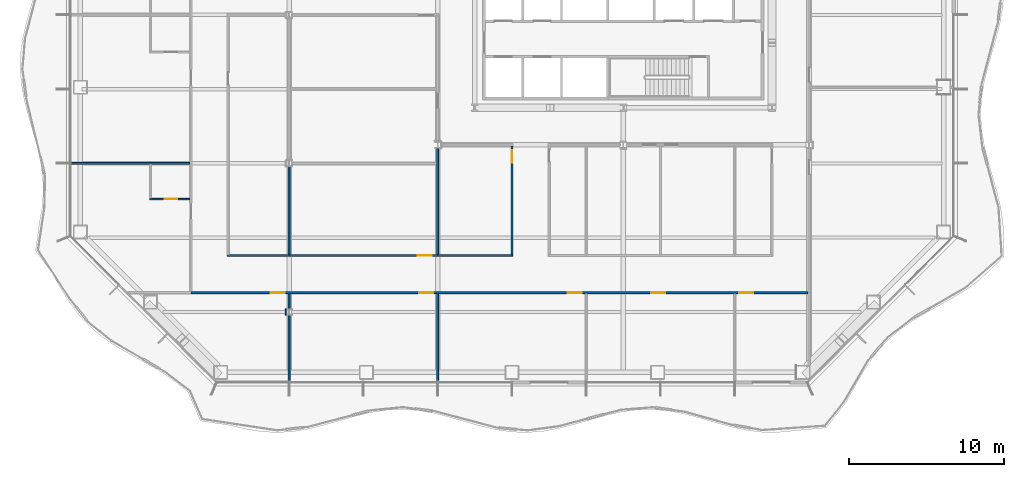
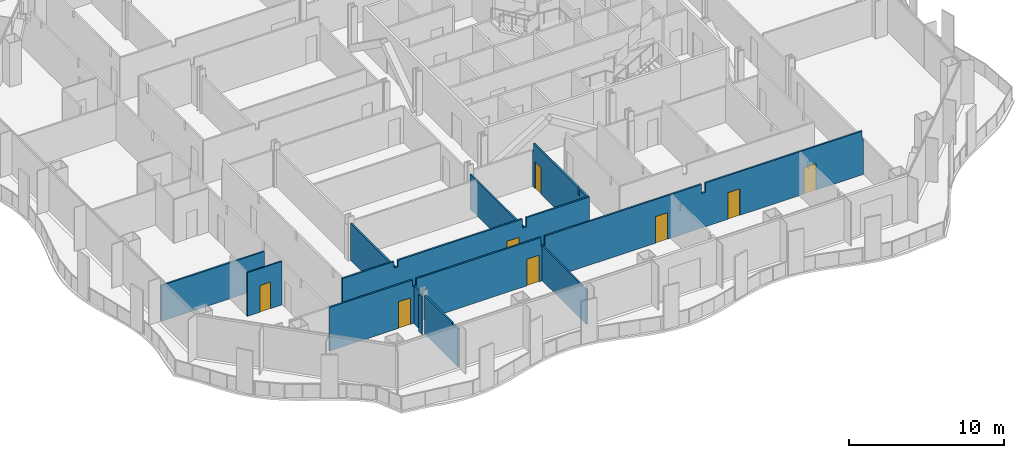
# One storey, part 6 of 18: 11 walls, 8 doors, 8 openings.
"""IFC4 building model written with IfcOpenShell, lengths in metres."""

from ifc_helpers import new_model, si_unit, direction, frame, frame_2d, origin, place, context, subcontext, project, spatial, polyline, rectangle, outline, extrude, material, layer, layer_set, type_object, element, fill, save


model = new_model("IFC4")

# Units and contexts
model_context = context("Model", 3, precision=1e-05, world=origin(), true_north=direction((0.0, 1.0)))
body_context = subcontext(model_context, "Body", "Model", "MODEL_VIEW")
ifc_project = project(units=[si_unit("LENGTHUNIT", "METRE"), si_unit("AREAUNIT", "SQUARE_METRE"), si_unit("VOLUMEUNIT", "CUBIC_METRE"), si_unit("PLANEANGLEUNIT", "RADIAN"), si_unit("MASSUNIT", "GRAM", prefix="KILO")], contexts=[model_context])

# Site, building, storey
site_placement = place(None, origin())
site = spatial("IfcSite", under=ifc_project, at=site_placement, CompositionType="ELEMENT")
building_placement = place(site_placement, origin())
building = spatial("IfcBuilding", under=site, at=building_placement, Name="Cairn Pilgrim Tower", CompositionType="ELEMENT")
storey_placement = place(building_placement, frame((0.0, 0.0, 72.60009765625)))
storey = spatial("IfcBuildingStorey", under=building, at=storey_placement, Name="L16", CompositionType="ELEMENT", Elevation=72.60009765625)

# Wall, opening, door
ifc_material_1 = material(Name="Gypsum partition")
ifc_layer_1 = layer(ifc_material_1, 0.10009765625)
ifc_layer_set_1 = layer_set([ifc_layer_1], Name="PARTITION 100 DRYWALL")
wall_type_1 = type_object("IfcWallType", Name="PARTITION 100 DRYWALL", PredefinedType="PARTITIONING", material=ifc_layer_set_1)
wall_1_placement = place(storey_placement, frame((-23.39990234375, -11.89990234375, 0.0), z_axis=(0.0, 0.0, 1.0), x_axis=(1.0, 0.0, 0.0)))
wall_1 = element("IfcWall", 1, at=wall_1_placement, inside=storey, type_object=wall_type_1, Name="PARTITION W022", PredefinedType="PARTITIONING", context=body_context, shape_type="SweptSolid", body=[
    extrude(rectangle(XDim=2.58740234375, YDim=0.10009765625, at=frame_2d((1.293701171875, 0.0))), origin(), (0.0, 0.0, 1.0), 3.449951171875),
])
opening_1_placement = place(wall_1_placement, frame((0.949951171875, 0.0, 0.0)))
opening_1 = element("IfcOpeningElement", 2, at=opening_1_placement, cuts=wall_1, Name="Opening 1606E", PredefinedType="OPENING", context=body_context, shape_type="SweptSolid", body=[
    extrude(rectangle(XDim=0.800048828125, YDim=2.10009765625, at=frame_2d((0.39990234375, 1.050048828125))), frame((0.0, 0.06005859375, 0.0), z_axis=(0.0, -1.0, 0.0), x_axis=(1.0, 0.0, 0.0)), (0.0, 0.0, 1.0), 0.1201171875),
])
ifc_material_2 = material(Name="Timber door leaf", Category="wood")
door_type_1 = type_object("IfcDoorType", Name="DOOR 800x2100", OperationType="NOTDEFINED", PredefinedType="DOOR", material=ifc_material_2)
door_1_placement = place(opening_1_placement, origin())
door_1 = element("IfcDoor", 3, at=door_1_placement, inside=storey, type_object=door_type_1, Name="DOOR 1606E", OperationType="SINGLE_SWING_RIGHT", OverallHeight=2.10009765625, OverallWidth=0.800048828125, PredefinedType="DOOR", context=body_context, shape_type="SweptSolid", body=[
    extrude(rectangle(XDim=0.800048828125, YDim=2.10009765625, at=frame_2d((0.39990234375, 1.050048828125))), frame((0.0, 0.02490234375, 0.0), z_axis=(0.0, -1.0, 0.0), x_axis=(1.0, 0.0, 0.0)), (0.0, 0.0, 1.0), 0.050048828125),
])
fill(opening_1, door_1)

# Walls
ifc_layer_2 = layer(ifc_material_1, 0.125)
ifc_layer_set_2 = layer_set([ifc_layer_2], Name="PARTITION 125 DRYWALL EI 60")
wall_type_2 = type_object("IfcWallType", Name="PARTITION 125 DRYWALL EI 60", PredefinedType="PARTITIONING", material=ifc_layer_set_2)
wall_2_placement = place(storey_placement, frame((-14.39990234375, -23.68994140625, 0.0), z_axis=(0.0, 0.0, 1.0), x_axis=(0.0, 1.0, 0.0)))
element("IfcWall", 4, at=wall_2_placement, inside=storey, type_object=wall_type_2, Name="PARTITION W001", PredefinedType="PARTITIONING", context=body_context, shape_type="SweptSolid", body=[
    extrude(outline(polyline([(0.0, 0.0), (4.27734375, 0.0), (4.277587890625, 3.02978515625), (0.739990234375, 3.02978515625), (0.738037109375, 2.929931640625), (0.43994140625, 2.929931640625), (0.43798828125, 3.02978515625), (0.0, 3.02978515625), (0.0, 0.0)])), frame((0.0, 0.0625, 0.0), z_axis=(0.0, -1.0, 0.0), x_axis=(1.0, 0.0, 0.0)), (0.0, 0.0, 1.0), 0.125),
])
wall_3_placement = place(storey_placement, frame((-4.800048828125, -23.68994140625, 0.0), z_axis=(0.0, 0.0, 1.0), x_axis=(0.0, 1.0, 0.0)))
element("IfcWall", 5, at=wall_3_placement, inside=storey, type_object=wall_type_2, Name="PARTITION W002", PredefinedType="PARTITIONING", context=body_context, shape_type="SweptSolid", body=[
    extrude(rectangle(XDim=5.677490234375, YDim=0.125, at=frame_2d((2.8388671875, 0.0))), origin(), (0.0, 0.0, 1.0), 2.72998046875),
])
wall_4_placement = place(storey_placement, frame((-14.39990234375, -18.987548828125, 0.0), z_axis=(0.0, 0.0, 1.0), x_axis=(0.0, 1.0, 0.0)))
element("IfcWall", 6, at=wall_4_placement, inside=storey, type_object=wall_type_2, Name="PARTITION W006", PredefinedType="PARTITIONING", context=body_context, shape_type="SweptSolid", body=[
    extrude(rectangle(XDim=0.97509765625, YDim=0.125, at=frame_2d((0.487548828125, 0.0))), origin(), (0.0, 0.0, 1.0), 2.929931640625),
])

# Wall, openings, doors
wall_5_placement = place(storey_placement, frame((-20.75, -17.949951171875, 0.0), z_axis=(0.0, 0.0, 1.0), x_axis=(1.0, 0.0, 0.0)))
wall_5 = element("IfcWall", 7, at=wall_5_placement, inside=storey, type_object=wall_type_2, Name="PARTITION W008", PredefinedType="PARTITIONING", context=body_context, shape_type="SweptSolid", body=[
    extrude(outline(polyline([(0.0, 0.0), (39.887451171875, 0.0), (39.887451171875, 2.72998046875), (39.800048828125, 2.72998046875), (39.798095703125, 3.449951171875), (28.10009765625, 3.449951171875), (28.097900390625, 2.72998046875), (27.800048828125, 2.72998046875), (27.798095703125, 3.449951171875), (16.10009765625, 3.449951171875), (16.097900390625, 2.72998046875), (15.800048828125, 2.72998046875), (15.798095703125, 3.449951171875), (6.5, 3.449951171875), (6.498046875, 2.929931640625), (6.199951171875, 2.929931640625), (6.197998046875, 3.449951171875), (0.0, 3.449951171875), (0.0, 0.0)])), frame((0.0, 0.0625, 0.0), z_axis=(0.0, -1.0, 0.0), x_axis=(1.0, 0.0, 0.0)), (0.0, 0.0, 1.0), 0.125),
])
opening_2_placement = place(wall_5_placement, frame((5.14990234375, 0.0, 0.0)))
opening_2 = element("IfcOpeningElement", 8, at=opening_2_placement, cuts=wall_5, Name="Opening 1601", PredefinedType="OPENING", context=body_context, shape_type="SweptSolid", body=[
    extrude(rectangle(XDim=0.89990234375, YDim=2.10009765625, at=frame_2d((0.449951171875, 1.050048828125))), frame((0.0, 0.072509765625, 0.0), z_axis=(0.0, -1.0, 0.0), x_axis=(1.0, 0.0, 0.0)), (0.0, 0.0, 1.0), 0.14501953125),
])
opening_3_placement = place(wall_5_placement, frame((14.75, 0.0, 0.0)))
opening_3 = element("IfcOpeningElement", 9, at=opening_3_placement, cuts=wall_5, Name="Opening 1602", PredefinedType="OPENING", context=body_context, shape_type="SweptSolid", body=[
    extrude(rectangle(XDim=0.89990234375, YDim=2.10009765625, at=frame_2d((0.449951171875, 1.050048828125))), frame((0.0, 0.072509765625, 0.0), z_axis=(0.0, -1.0, 0.0), x_axis=(1.0, 0.0, 0.0)), (0.0, 0.0, 1.0), 0.14501953125),
])
opening_4_placement = place(wall_5_placement, frame((24.35009765625, 0.0, 0.0)))
opening_4 = element("IfcOpeningElement", 10, at=opening_4_placement, cuts=wall_5, Name="Opening 1603", PredefinedType="OPENING", context=body_context, shape_type="SweptSolid", body=[
    extrude(rectangle(XDim=0.89990234375, YDim=2.10009765625, at=frame_2d((0.449951171875, 1.050048828125))), frame((0.0, 0.072509765625, 0.0), z_axis=(0.0, -1.0, 0.0), x_axis=(1.0, 0.0, 0.0)), (0.0, 0.0, 1.0), 0.14501953125),
])
opening_5_placement = place(wall_5_placement, frame((29.75, 0.0, 0.0)))
opening_5 = element("IfcOpeningElement", 11, at=opening_5_placement, cuts=wall_5, Name="Opening 1604", PredefinedType="OPENING", context=body_context, shape_type="SweptSolid", body=[
    extrude(rectangle(XDim=0.89990234375, YDim=2.10009765625, at=frame_2d((0.449951171875, 1.050048828125))), frame((0.0, 0.072509765625, 0.0), z_axis=(0.0, -1.0, 0.0), x_axis=(1.0, 0.0, 0.0)), (0.0, 0.0, 1.0), 0.14501953125),
])
opening_6_placement = place(wall_5_placement, frame((35.449951171875, 0.0, 0.0)))
opening_6 = element("IfcOpeningElement", 12, at=opening_6_placement, cuts=wall_5, Name="Opening 1605", PredefinedType="OPENING", context=body_context, shape_type="SweptSolid", body=[
    extrude(rectangle(XDim=0.89990234375, YDim=2.10009765625, at=frame_2d((0.449951171875, 1.050048828125))), frame((0.0, 0.072509765625, 0.0), z_axis=(0.0, -1.0, 0.0), x_axis=(1.0, 0.0, 0.0)), (0.0, 0.0, 1.0), 0.14501953125),
])
ifc_material_3 = material(Name="Steel-faced fire door leaf", Category="steel")
door_type_2 = type_object("IfcDoorType", Name="FIRE DOOR 900x2100 FD30S", OperationType="NOTDEFINED", PredefinedType="DOOR", material=ifc_material_3)
door_2_placement = place(opening_2_placement, frame((0.89990234375, 0.0, 0.0), z_axis=(0.0, 0.0, 1.0), x_axis=(-1.0, 0.0, 0.0)))
door_2 = element("IfcDoor", 13, at=door_2_placement, inside=storey, type_object=door_type_2, Name="DOOR 1601", OperationType="SINGLE_SWING_RIGHT", OverallHeight=2.10009765625, OverallWidth=0.89990234375, PredefinedType="DOOR", context=body_context, shape_type="SweptSolid", body=[
    extrude(rectangle(XDim=0.89990234375, YDim=2.10009765625, at=frame_2d((0.449951171875, 1.050048828125))), frame((0.0, 0.02490234375, 0.0), z_axis=(0.0, -1.0, 0.0), x_axis=(1.0, 0.0, 0.0)), (0.0, 0.0, 1.0), 0.050048828125),
])
fill(opening_2, door_2)
door_3_placement = place(opening_3_placement, frame((0.89990234375, 0.0, 0.0), z_axis=(0.0, 0.0, 1.0), x_axis=(-1.0, 0.0, 0.0)))
door_3 = element("IfcDoor", 14, at=door_3_placement, inside=storey, type_object=door_type_2, Name="DOOR 1602", OperationType="SINGLE_SWING_LEFT", OverallHeight=2.10009765625, OverallWidth=0.89990234375, PredefinedType="DOOR", context=body_context, shape_type="SweptSolid", body=[
    extrude(rectangle(XDim=0.89990234375, YDim=2.10009765625, at=frame_2d((0.449951171875, 1.050048828125))), frame((0.0, 0.02490234375, 0.0), z_axis=(0.0, -1.0, 0.0), x_axis=(1.0, 0.0, 0.0)), (0.0, 0.0, 1.0), 0.050048828125),
])
fill(opening_3, door_3)
door_4_placement = place(opening_4_placement, frame((0.89990234375, 0.0, 0.0), z_axis=(0.0, 0.0, 1.0), x_axis=(-1.0, 0.0, 0.0)))
door_4 = element("IfcDoor", 15, at=door_4_placement, inside=storey, type_object=door_type_2, Name="DOOR 1603", OperationType="SINGLE_SWING_RIGHT", OverallHeight=2.10009765625, OverallWidth=0.89990234375, PredefinedType="DOOR", context=body_context, shape_type="SweptSolid", body=[
    extrude(rectangle(XDim=0.89990234375, YDim=2.10009765625, at=frame_2d((0.449951171875, 1.050048828125))), frame((0.0, 0.02490234375, 0.0), z_axis=(0.0, -1.0, 0.0), x_axis=(1.0, 0.0, 0.0)), (0.0, 0.0, 1.0), 0.050048828125),
])
fill(opening_4, door_4)
door_5_placement = place(opening_5_placement, frame((0.89990234375, 0.0, 0.0), z_axis=(0.0, 0.0, 1.0), x_axis=(-1.0, 0.0, 0.0)))
door_5 = element("IfcDoor", 16, at=door_5_placement, inside=storey, type_object=door_type_2, Name="DOOR 1604", OperationType="SINGLE_SWING_LEFT", OverallHeight=2.10009765625, OverallWidth=0.89990234375, PredefinedType="DOOR", context=body_context, shape_type="SweptSolid", body=[
    extrude(rectangle(XDim=0.89990234375, YDim=2.10009765625, at=frame_2d((0.449951171875, 1.050048828125))), frame((0.0, 0.02490234375, 0.0), z_axis=(0.0, -1.0, 0.0), x_axis=(1.0, 0.0, 0.0)), (0.0, 0.0, 1.0), 0.050048828125),
])
fill(opening_5, door_5)
door_6_placement = place(opening_6_placement, frame((0.89990234375, 0.0, 0.0), z_axis=(0.0, 0.0, 1.0), x_axis=(-1.0, 0.0, 0.0)))
door_6 = element("IfcDoor", 17, at=door_6_placement, inside=storey, type_object=door_type_2, Name="DOOR 1605", OperationType="SINGLE_SWING_RIGHT", OverallHeight=2.10009765625, OverallWidth=0.89990234375, PredefinedType="DOOR", context=body_context, shape_type="SweptSolid", body=[
    extrude(rectangle(XDim=0.89990234375, YDim=2.10009765625, at=frame_2d((0.449951171875, 1.050048828125))), frame((0.0, 0.02490234375, 0.0), z_axis=(0.0, -1.0, 0.0), x_axis=(1.0, 0.0, 0.0)), (0.0, 0.0, 1.0), 0.050048828125),
])
fill(opening_6, door_6)

# Wall, opening, door
wall_6_placement = place(storey_placement, frame((-18.41259765625, -15.550048828125, 0.0), z_axis=(0.0, 0.0, 1.0), x_axis=(1.0, 0.0, 0.0)))
wall_6 = element("IfcWall", 18, at=wall_6_placement, inside=storey, type_object=wall_type_2, Name="PARTITION W011", PredefinedType="PARTITIONING", context=body_context, shape_type="SweptSolid", body=[
    extrude(outline(polyline([(0.0, 0.0), (18.47509765625, 0.0), (18.47509765625, 3.449951171875), (13.762451171875, 3.449951171875), (13.760498046875, 2.72998046875), (13.46240234375, 2.72998046875), (13.46044921875, 3.449951171875), (4.16259765625, 3.449951171875), (4.160400390625, 2.929931640625), (3.862548828125, 2.929931640625), (3.860595703125, 3.449951171875), (0.0, 3.449951171875), (0.0, 0.0)])), frame((0.0, 0.0625, 0.0), z_axis=(0.0, -1.0, 0.0), x_axis=(1.0, 0.0, 0.0)), (0.0, 0.0, 1.0), 0.125),
])
opening_7_placement = place(wall_6_placement, frame((12.3125, 0.0, 0.0)))
opening_7 = element("IfcOpeningElement", 19, at=opening_7_placement, cuts=wall_6, Name="Opening 1617", PredefinedType="OPENING", context=body_context, shape_type="SweptSolid", body=[
    extrude(rectangle(XDim=0.89990234375, YDim=2.10009765625, at=frame_2d((0.449951171875, 1.050048828125))), frame((0.0, 0.072509765625, 0.0), z_axis=(0.0, -1.0, 0.0), x_axis=(1.0, 0.0, 0.0)), (0.0, 0.0, 1.0), 0.14501953125),
])
door_7_placement = place(opening_7_placement, origin())
door_7 = element("IfcDoor", 20, at=door_7_placement, inside=storey, type_object=door_type_2, Name="DOOR 1617", OperationType="SINGLE_SWING_RIGHT", OverallHeight=2.10009765625, OverallWidth=0.89990234375, PredefinedType="DOOR", context=body_context, shape_type="SweptSolid", body=[
    extrude(rectangle(XDim=0.89990234375, YDim=2.10009765625, at=frame_2d((0.449951171875, 1.050048828125))), frame((0.0, 0.02490234375, 0.0), z_axis=(0.0, -1.0, 0.0), x_axis=(1.0, 0.0, 0.0)), (0.0, 0.0, 1.0), 0.050048828125),
])
fill(opening_7, door_7)

# Walls
wall_7_placement = place(storey_placement, frame((-14.39990234375, -15.487548828125, 0.0), z_axis=(0.0, 0.0, 1.0), x_axis=(0.0, 1.0, 0.0)))
element("IfcWall", 21, at=wall_7_placement, inside=storey, type_object=wall_type_2, Name="PARTITION W014", PredefinedType="PARTITIONING", context=body_context, shape_type="SweptSolid", body=[
    extrude(rectangle(XDim=5.675048828125, YDim=0.125, at=frame_2d((2.83740234375, 0.0))), origin(), (0.0, 0.0, 1.0), 2.929931640625),
])
wall_8_placement = place(storey_placement, frame((-4.800048828125, -15.487548828125, 0.0), z_axis=(0.0, 0.0, 1.0), x_axis=(0.0, 1.0, 0.0)))
element("IfcWall", 22, at=wall_8_placement, inside=storey, type_object=wall_type_2, Name="PARTITION W015", PredefinedType="PARTITIONING", context=body_context, shape_type="SweptSolid", body=[
    extrude(rectangle(XDim=6.8505859375, YDim=0.125, at=frame_2d((3.42529296875, 0.0))), origin(), (0.0, 0.0, 1.0), 2.72998046875),
])

# Wall, opening, door
wall_9_placement = place(storey_placement, frame((0.0, -15.487548828125, 0.0), z_axis=(0.0, 0.0, 1.0), x_axis=(0.0, 1.0, 0.0)))
wall_9 = element("IfcWall", 23, at=wall_9_placement, inside=storey, type_object=wall_type_2, Name="PARTITION W016", PredefinedType="PARTITIONING", context=body_context, shape_type="SweptSolid", body=[
    extrude(outline(polyline([(0.0, 0.0), (7.025146484375, 0.0), (7.02490234375, 2.829833984375), (6.9375, 2.829833984375), (6.935546875, 3.449951171875), (1.1923828125, 3.449951171875), (1.1904296875, 2.8798828125), (0.982421875, 2.8798828125), (0.98046875, 3.449951171875), (0.0, 3.449951171875), (0.0, 0.0)])), frame((0.0, 0.0625, 0.0), z_axis=(0.0, -1.0, 0.0), x_axis=(1.0, 0.0, 0.0)), (0.0, 0.0, 1.0), 0.125),
])
opening_8_placement = place(wall_9_placement, frame((5.9375, 0.0, 0.0)))
opening_8 = element("IfcOpeningElement", 24, at=opening_8_placement, cuts=wall_9, Name="Opening 1624", PredefinedType="OPENING", context=body_context, shape_type="SweptSolid", body=[
    extrude(rectangle(XDim=0.800048828125, YDim=2.10009765625, at=frame_2d((0.39990234375, 1.050048828125))), frame((0.0, 0.072509765625, 0.0), z_axis=(0.0, -1.0, 0.0), x_axis=(1.0, 0.0, 0.0)), (0.0, 0.0, 1.0), 0.14501953125),
])
door_type_3 = type_object("IfcDoorType", Name="FIRE DOOR 800x2100 FD30S", OperationType="NOTDEFINED", PredefinedType="DOOR", material=ifc_material_3)
door_8_placement = place(opening_8_placement, origin())
door_8 = element("IfcDoor", 25, at=door_8_placement, inside=storey, type_object=door_type_3, Name="DOOR 1624", OperationType="SINGLE_SWING_LEFT", OverallHeight=2.10009765625, OverallWidth=0.800048828125, PredefinedType="DOOR", context=body_context, shape_type="SweptSolid", body=[
    extrude(rectangle(XDim=0.800048828125, YDim=2.10009765625, at=frame_2d((0.39990234375, 1.050048828125))), frame((0.0, 0.02490234375, 0.0), z_axis=(0.0, -1.0, 0.0), x_axis=(1.0, 0.0, 0.0)), (0.0, 0.0, 1.0), 0.050048828125),
])
fill(opening_8, door_8)

# Walls
wall_10_placement = place(storey_placement, frame((-28.489990234375, -9.60009765625, 0.0), z_axis=(0.0, 0.0, 1.0), x_axis=(1.0, 0.0, 0.0)))
element("IfcWall", 26, at=wall_10_placement, inside=storey, type_object=wall_type_2, Name="PARTITION W024", PredefinedType="PARTITIONING", context=body_context, shape_type="SweptSolid", body=[
    extrude(rectangle(XDim=7.677490234375, YDim=0.125, at=frame_2d((3.8388671875, 0.0))), origin(), (0.0, 0.0, 1.0), 2.829833984375),
])
ifc_layer_3 = layer(ifc_material_1, 0.050048828125)
ifc_layer_set_3 = layer_set([ifc_layer_3], Name="PARTITION 50 DRYWALL EI 60")
wall_type_3 = type_object("IfcWallType", Name="PARTITION 50 DRYWALL EI 60", PredefinedType="PARTITIONING", material=ifc_layer_set_3)
wall_11_placement = place(storey_placement, frame((-14.62939453125, -19.41259765625, 0.0), z_axis=(0.0, 0.0, 1.0), x_axis=(0.0, 1.0, 0.0)))
element("IfcWall", 27, at=wall_11_placement, inside=storey, type_object=wall_type_3, Name="COLUMN CASING WC01", PredefinedType="PARTITIONING", context=body_context, shape_type="SweptSolid", body=[
    extrude(rectangle(XDim=0.425048828125, YDim=0.050048828125, at=frame_2d((0.21240234375, 0.0))), origin(), (0.0, 0.0, 1.0), 2.97998046875),
])

save(model, "model.ifc")
